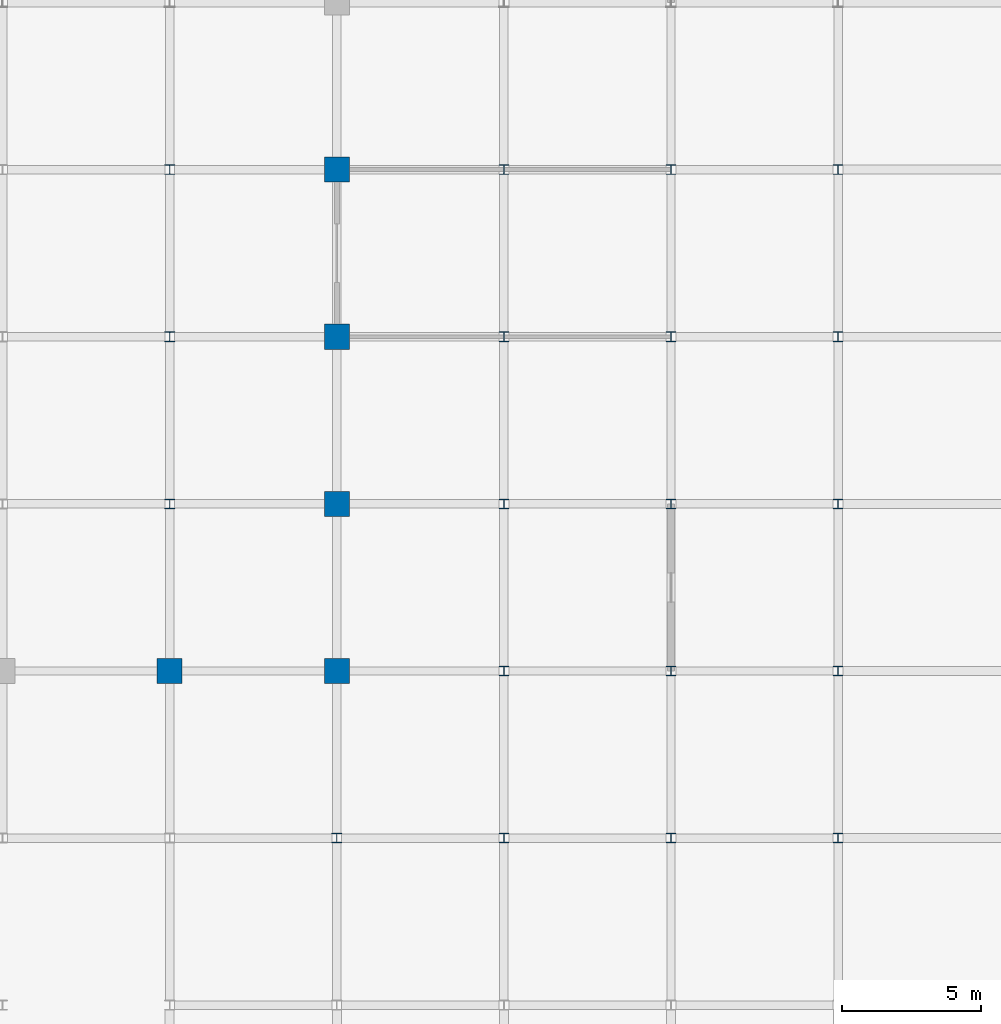
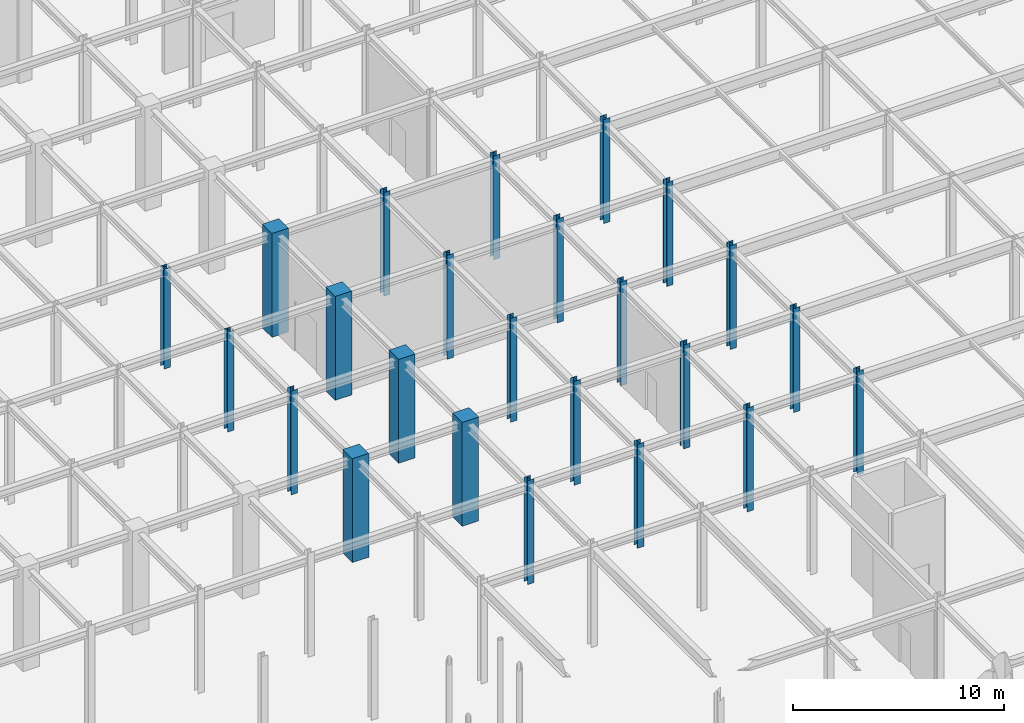
# One storey, part 12 of 51: 24 columns.
"""IFC4 building model written with IfcOpenShell, lengths in metres."""

from ifc_helpers import new_model, si_unit, direction, frame, origin, origin_2d, place, context, subcontext, project, spatial, rectangle, i_section, extrude, material, material_profile, profile_set, type_object, element, save


model = new_model("IFC4")

# Units and contexts
model_context = context("Model", 3, precision=1e-05, world=origin(), true_north=direction((0.0, 1.0)))
body_context = subcontext(model_context, "Body", "Model", "MODEL_VIEW")
ifc_project = project(units=[si_unit("LENGTHUNIT", "METRE"), si_unit("AREAUNIT", "SQUARE_METRE"), si_unit("VOLUMEUNIT", "CUBIC_METRE"), si_unit("PLANEANGLEUNIT", "RADIAN"), si_unit("MASSUNIT", "GRAM", prefix="KILO")], contexts=[model_context])

# Site, building, storey
site_placement = place(None, origin())
site = spatial("IfcSite", under=ifc_project, at=site_placement, CompositionType="ELEMENT")
building_placement = place(site_placement, origin())
building = spatial("IfcBuilding", under=site, at=building_placement, Name="Zlatovratsky Civic Hall", CompositionType="ELEMENT")
storey_placement = place(building_placement, origin())
storey = spatial("IfcBuildingStorey", under=building, at=storey_placement, Name="L01", CompositionType="ELEMENT", Elevation=0.0)

# Columns
ifc_material_1 = material(Name="Concrete C35/45 (B40)", Category="concrete")
ifc_material_profile_1 = material_profile(ifc_material_1, rectangle(XDim=0.89990234375, YDim=0.89990234375, at=origin_2d()), Name="RC 900x900")
ifc_profile_set_1 = profile_set([ifc_material_profile_1], Name="Concrete C35/45 (B40)")
column_type_1 = type_object("IfcColumnType", Name="Col_ChamberPier_RC900", PredefinedType="COLUMN", material=ifc_profile_set_1)
for number, where, z_axis, x_axis, name in (
    (1, (96.0, 42.0, 0.0), (0.0, 0.0, 1.0), (1.0, 0.0, 0.0), "CL-0536"),
    (2, (102.0, 42.0, 0.0), (0.0, 0.0, 1.0), (1.0, 0.0, 0.0), "CL-0537"),
    (3, (102.0, 48.0, 0.0), (0.0, 0.0, 1.0), (1.0, 0.0, 0.0), "CL-0560"),
    (4, (102.0, 54.0, 0.0), (0.0, 0.0, 1.0), (1.0, 0.0, 0.0), "CL-0583"),
    (5, (102.0, 60.0, 0.0), (0.0, 0.0, 1.0), (1.0, 0.0, 0.0), "CL-0606"),
):
    element("IfcColumn", number, at=place(storey_placement, frame(where, z_axis=z_axis, x_axis=x_axis)), inside=storey, type_object=column_type_1, Name=name, PredefinedType="COLUMN", context=body_context, shape_type="SweptSolid", body=[
        extrude(rectangle(XDim=0.89990234375, YDim=0.89990234375, at=origin_2d()), origin(), (0.0, 0.0, 1.0), 6.0),
    ])
ifc_material_2 = material(Name="Steel S355", Category="steel")
ifc_material_profile_2 = material_profile(ifc_material_2, i_section(OverallWidth=0.35009765625, OverallDepth=0.343017578125, WebThickness=0.010009765625, FlangeThickness=0.014892578125, FilletRadius=0.02001953125, at=origin_2d()), Name="35K1")
ifc_profile_set_2 = profile_set([ifc_material_profile_2], Name="Steel S355")
column_type_2 = type_object("IfcColumnType", Name="Col_Steel_35K1", PredefinedType="COLUMN", material=ifc_profile_set_2)
for number, where, z_axis, x_axis, name in (
    (6, (102.0, 36.0, 0.0), (0.0, 0.0, 1.0), (1.0, 0.0, 0.0), "CL-0514"),
    (7, (108.0, 36.0, 0.0), (0.0, 0.0, 1.0), (1.0, 0.0, 0.0), "CL-0515"),
    (8, (114.0, 36.0, 0.0), (0.0, 0.0, 1.0), (1.0, 0.0, 0.0), "CL-0516"),
    (9, (120.0, 36.0, 0.0), (0.0, 0.0, 1.0), (1.0, 0.0, 0.0), "CL-0517"),
    (10, (108.0, 42.0, 0.0), (0.0, 0.0, 1.0), (1.0, 0.0, 0.0), "CL-0538"),
    (11, (114.0, 42.0, 0.0), (0.0, 0.0, 1.0), (1.0, 0.0, 0.0), "CL-0539"),
    (12, (120.0, 42.0, 0.0), (0.0, 0.0, 1.0), (1.0, 0.0, 0.0), "CL-0540"),
    (13, (96.0, 48.0, 0.0), (0.0, 0.0, 1.0), (1.0, 0.0, 0.0), "CL-0559"),
    (14, (108.0, 48.0, 0.0), (0.0, 0.0, 1.0), (1.0, 0.0, 0.0), "CL-0561"),
    (15, (114.0, 48.0, 0.0), (0.0, 0.0, 1.0), (1.0, 0.0, 0.0), "CL-0562"),
    (16, (120.0, 48.0, 0.0), (0.0, 0.0, 1.0), (1.0, 0.0, 0.0), "CL-0563"),
):
    element("IfcColumn", number, at=place(storey_placement, frame(where, z_axis=z_axis, x_axis=x_axis)), inside=storey, type_object=column_type_2, Name=name, PredefinedType="COLUMN", context=body_context, shape_type="SweptSolid", body=[
        extrude(i_section(OverallWidth=0.35009765625, OverallDepth=0.343017578125, WebThickness=0.010009765625, FlangeThickness=0.014892578125, FilletRadius=0.02001953125, at=origin_2d()), origin(), (0.0, 0.0, 1.0), 6.0),
    ])
column_1_placement = place(storey_placement, frame((96.0, 54.0, 0.0), z_axis=(0.0, 0.0, 1.0), x_axis=(1.0, 0.0, 0.0)))
element("IfcColumn", 17, at=column_1_placement, inside=storey, type_object=column_type_2, Name="CL-0582", PredefinedType="COLUMN", context=body_context, shape_type="SweptSolid", body=[
    extrude(i_section(OverallWidth=0.35009765625, OverallDepth=0.343017578125, WebThickness=0.010009765625, FlangeThickness=0.014892578125, FilletRadius=0.02001953125, at=origin_2d()), origin(), (0.0, 0.0, 1.0), 5.760009765625),
])
for number, where, z_axis, x_axis, name in (
    (18, (108.0, 54.0, 0.0), (0.0, 0.0, 1.0), (1.0, 0.0, 0.0), "CL-0584"),
    (19, (114.0, 54.0, 0.0), (0.0, 0.0, 1.0), (1.0, 0.0, 0.0), "CL-0585"),
    (20, (120.0, 54.0, 0.0), (0.0, 0.0, 1.0), (1.0, 0.0, 0.0), "CL-0586"),
):
    element("IfcColumn", number, at=place(storey_placement, frame(where, z_axis=z_axis, x_axis=x_axis)), inside=storey, type_object=column_type_2, Name=name, PredefinedType="COLUMN", context=body_context, shape_type="SweptSolid", body=[
        extrude(i_section(OverallWidth=0.35009765625, OverallDepth=0.343017578125, WebThickness=0.010009765625, FlangeThickness=0.014892578125, FilletRadius=0.02001953125, at=origin_2d()), origin(), (0.0, 0.0, 1.0), 6.0),
    ])
column_2_placement = place(storey_placement, frame((96.0, 60.0, 0.0), z_axis=(0.0, 0.0, 1.0), x_axis=(1.0, 0.0, 0.0)))
element("IfcColumn", 21, at=column_2_placement, inside=storey, type_object=column_type_2, Name="CL-0605", PredefinedType="COLUMN", context=body_context, shape_type="SweptSolid", body=[
    extrude(i_section(OverallWidth=0.35009765625, OverallDepth=0.343017578125, WebThickness=0.010009765625, FlangeThickness=0.014892578125, FilletRadius=0.02001953125, at=origin_2d()), origin(), (0.0, 0.0, 1.0), 5.760009765625),
])
for number, where, z_axis, x_axis, name in (
    (22, (108.0, 60.0, 0.0), (0.0, 0.0, 1.0), (1.0, 0.0, 0.0), "CL-0607"),
    (23, (114.0, 60.0, 0.0), (0.0, 0.0, 1.0), (1.0, 0.0, 0.0), "CL-0608"),
    (24, (120.0, 60.0, 0.0), (0.0, 0.0, 1.0), (1.0, 0.0, 0.0), "CL-0609"),
):
    element("IfcColumn", number, at=place(storey_placement, frame(where, z_axis=z_axis, x_axis=x_axis)), inside=storey, type_object=column_type_2, Name=name, PredefinedType="COLUMN", context=body_context, shape_type="SweptSolid", body=[
        extrude(i_section(OverallWidth=0.35009765625, OverallDepth=0.343017578125, WebThickness=0.010009765625, FlangeThickness=0.014892578125, FilletRadius=0.02001953125, at=origin_2d()), origin(), (0.0, 0.0, 1.0), 6.0),
    ])

save(model, "model.ifc")
